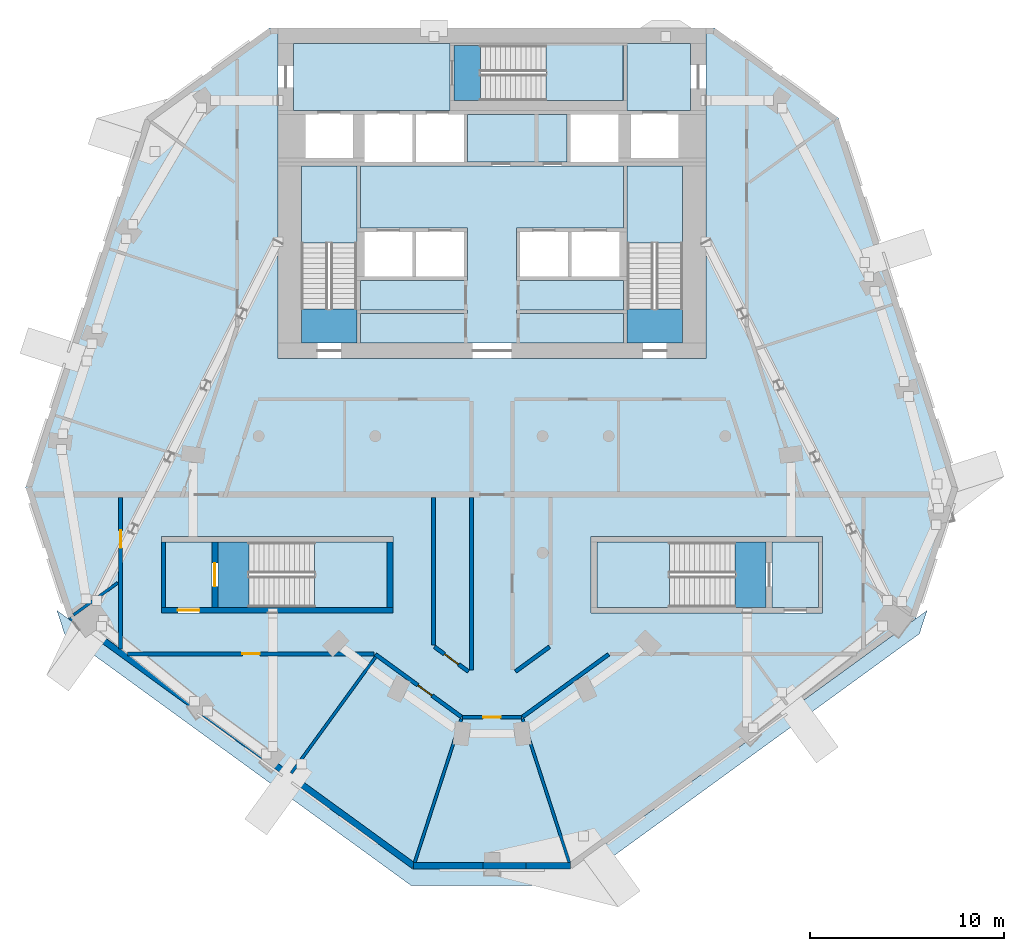
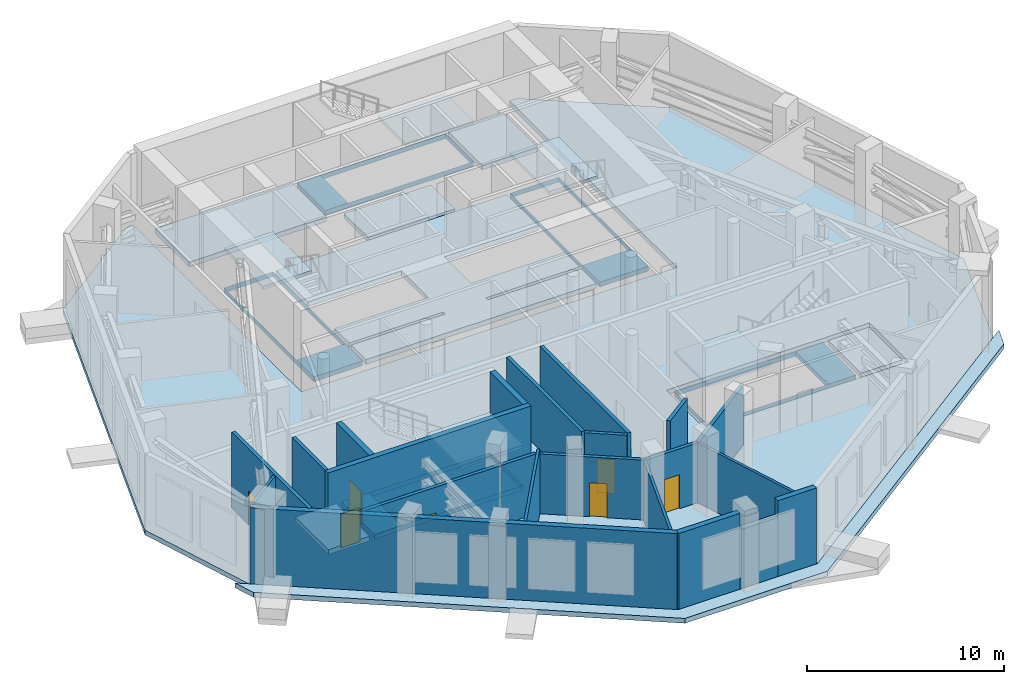
# One storey, part 7 of 16: 21 walls, 18 slabs, 7 doors, 7 openings, 5 elements without a shape of their own.
"""IFC4 building model written with IfcOpenShell, lengths in metres."""

from ifc_helpers import new_model, si_unit, direction, frame, frame_2d, origin, place, context, subcontext, project, spatial, polyline, rectangle, outline, extrude, material, layer, layer_set, type_object, element, fill, aggregate, save


model = new_model("IFC4")

# Units and contexts
model_context = context("Model", 3, precision=1e-05, world=origin(), true_north=direction((0.0, 1.0)))
body_context = subcontext(model_context, "Body", "Model", "MODEL_VIEW")
ifc_project = project(units=[si_unit("LENGTHUNIT", "METRE"), si_unit("AREAUNIT", "SQUARE_METRE"), si_unit("VOLUMEUNIT", "CUBIC_METRE"), si_unit("PLANEANGLEUNIT", "RADIAN"), si_unit("MASSUNIT", "GRAM", prefix="KILO")], contexts=[model_context])

# Site, building, storey
site_placement = place(None, origin())
site = spatial("IfcSite", under=ifc_project, at=site_placement, CompositionType="ELEMENT")
building_placement = place(site_placement, origin())
building = spatial("IfcBuilding", under=site, at=building_placement, Name="White Candle Pilgrim Tower", CompositionType="ELEMENT")
storey_placement = place(building_placement, frame((0.0, 0.0, 243.300048828125)))
storey = spatial("IfcBuildingStorey", under=building, at=storey_placement, Name="L57", CompositionType="ELEMENT", Elevation=243.300048828125)

# Slabs
ifc_material_1 = material(Name="Concrete C40/50", Category="concrete")
ifc_layer_1 = layer(ifc_material_1, 0.300048828125)
ifc_layer_set_1 = layer_set([ifc_layer_1], Name="Core floor slab 300 mm Concrete C40/50")
slab_type_1 = type_object("IfcSlabType", Name="Core floor slab 300 mm Concrete C40/50", PredefinedType="FLOOR", material=ifc_layer_set_1)
slab_1_placement = place(storey_placement, frame((0.0, 0.0, -0.300048828125)))
element("IfcSlab", 1, at=slab_1_placement, inside=storey, type_object=slab_type_1, Name="CF-L57-01", PredefinedType="FLOOR", context=body_context, shape_type="SweptSolid", body=[
    extrude(outline(polyline([(55.60009765625, 58.199951171875), (53.199951171875, 58.199951171875), (53.199951171875, 61.550048828125), (55.60009765625, 61.550048828125), (55.60009765625, 58.199951171875)])), origin(), (0.0, 0.0, 1.0), 0.300048828125),
])
slab_2_placement = place(storey_placement, frame((0.0, 0.0, -0.300048828125)))
element("IfcSlab", 2, at=slab_2_placement, inside=storey, type_object=slab_type_1, Name="CF-L57-02", PredefinedType="FLOOR", context=body_context, shape_type="SweptSolid", body=[
    extrude(outline(polyline([(55.89990234375, 58.199951171875), (55.89990234375, 61.550048828125), (64.60009765625, 61.550048828125), (64.60009765625, 58.199951171875), (55.89990234375, 58.199951171875)]), holes=[polyline([(57.501953125, 61.548095703125), (57.501953125, 58.201904296875), (64.597900390625, 58.201904296875), (64.597900390625, 61.548095703125), (57.501953125, 61.548095703125)])]), origin(), (0.0, 0.0, 1.0), 0.300048828125),
])
slab_3_placement = place(storey_placement, frame((0.0, 0.0, -0.300048828125)))
element("IfcSlab", 3, at=slab_3_placement, inside=storey, type_object=slab_type_1, Name="CF-L57-03", PredefinedType="FLOOR", context=body_context, shape_type="SweptSolid", body=[
    extrude(outline(polyline([(75.39990234375, 58.199951171875), (75.39990234375, 61.550048828125), (84.10009765625, 61.550048828125), (84.10009765625, 58.199951171875), (75.39990234375, 58.199951171875)]), holes=[polyline([(82.498046875, 58.201904296875), (82.498046875, 61.548095703125), (75.402099609375, 61.548095703125), (75.402099609375, 58.201904296875), (82.498046875, 58.201904296875)])]), origin(), (0.0, 0.0, 1.0), 0.300048828125),
])
slab_4_placement = place(storey_placement, frame((0.0, 0.0, -0.300048828125)))
element("IfcSlab", 4, at=slab_4_placement, inside=storey, type_object=slab_type_1, Name="CF-L57-04", PredefinedType="FLOOR", context=body_context, shape_type="SweptSolid", body=[
    extrude(outline(polyline([(86.800048828125, 58.199951171875), (84.39990234375, 58.199951171875), (84.39990234375, 61.550048828125), (86.800048828125, 61.550048828125), (86.800048828125, 58.199951171875)])), origin(), (0.0, 0.0, 1.0), 0.300048828125),
])
slab_5_placement = place(storey_placement, frame((0.0, 0.0, -0.300048828125)))
element("IfcSlab", 5, at=slab_5_placement, inside=storey, type_object=slab_type_1, Name="CF-L57-05", PredefinedType="FLOOR", context=body_context, shape_type="SweptSolid", body=[
    extrude(outline(polyline([(76.949951171875, 71.800048828125), (76.949951171875, 73.300048828125), (76.949951171875, 73.5), (76.949951171875, 75.0), (76.949951171875, 75.199951171875), (76.949951171875, 77.5), (76.949951171875, 77.699951171875), (76.949951171875, 80.89990234375), (79.800048828125, 80.89990234375), (79.800048828125, 71.800048828125), (76.949951171875, 71.800048828125)]), holes=[polyline([(76.951904296875, 73.552001953125), (79.798095703125, 73.552001953125), (79.798095703125, 80.89794921875), (76.951904296875, 80.89794921875), (76.951904296875, 73.552001953125)])]), origin(), (0.0, 0.0, 1.0), 0.300048828125),
])
slab_6_placement = place(storey_placement, frame((0.0, 0.0, -0.300048828125)))
element("IfcSlab", 6, at=slab_6_placement, inside=storey, type_object=slab_type_1, Name="CF-L57-06", PredefinedType="FLOOR", context=body_context, shape_type="SweptSolid", body=[
    extrude(outline(polyline([(63.25, 71.800048828125), (63.25, 73.300048828125), (68.75, 73.300048828125), (68.75, 73.5), (63.25, 73.5), (63.25, 75.0), (68.75, 75.0), (68.75, 75.199951171875), (68.75, 77.5), (68.75, 77.699951171875), (63.25, 77.699951171875), (63.25, 80.89990234375), (76.75, 80.89990234375), (76.75, 77.699951171875), (71.25, 77.699951171875), (71.25, 77.5), (71.25, 75.199951171875), (71.25, 75.0), (76.75, 75.0), (76.75, 73.5), (71.25, 73.5), (71.25, 73.300048828125), (76.75, 73.300048828125), (76.75, 71.800048828125), (63.25, 71.800048828125)])), origin(), (0.0, 0.0, 1.0), 0.300048828125),
])
slab_7_placement = place(storey_placement, frame((0.0, 0.0, -0.300048828125)))
element("IfcSlab", 7, at=slab_7_placement, inside=storey, type_object=slab_type_1, Name="CF-L57-07", PredefinedType="FLOOR", context=body_context, shape_type="SweptSolid", body=[
    extrude(outline(polyline([(60.199951171875, 71.800048828125), (60.199951171875, 80.89990234375), (63.050048828125, 80.89990234375), (63.050048828125, 77.699951171875), (63.050048828125, 77.5), (63.050048828125, 75.199951171875), (63.050048828125, 75.0), (63.050048828125, 73.5), (63.050048828125, 73.300048828125), (63.050048828125, 71.800048828125), (60.199951171875, 71.800048828125)]), holes=[polyline([(60.201904296875, 73.552001953125), (63.048095703125, 73.552001953125), (63.048095703125, 80.89794921875), (60.201904296875, 80.89794921875), (60.201904296875, 73.552001953125)])]), origin(), (0.0, 0.0, 1.0), 0.300048828125),
])
slab_8_placement = place(storey_placement, frame((0.0, 0.0, -0.300048828125)))
element("IfcSlab", 8, at=slab_8_placement, inside=storey, type_object=slab_type_1, Name="CF-L57-08", PredefinedType="FLOOR", context=body_context, shape_type="SweptSolid", body=[
    extrude(outline(polyline([(59.800048828125, 87.199951171875), (67.85009765625, 87.199951171875), (67.85009765625, 87.10009765625), (67.85009765625, 84.25), (67.85009765625, 83.75), (59.800048828125, 83.75), (59.800048828125, 87.199951171875)])), origin(), (0.0, 0.0, 1.0), 0.300048828125),
])
slab_9_placement = place(storey_placement, frame((0.0, 0.0, -0.300048828125)))
element("IfcSlab", 9, at=slab_9_placement, inside=storey, type_object=slab_type_1, Name="CF-L57-09", PredefinedType="FLOOR", context=body_context, shape_type="SweptSolid", body=[
    extrude(outline(polyline([(80.199951171875, 87.199951171875), (80.199951171875, 83.75), (76.949951171875, 83.75), (76.949951171875, 84.25), (76.949951171875, 87.10009765625), (76.949951171875, 87.199951171875), (80.199951171875, 87.199951171875)])), origin(), (0.0, 0.0, 1.0), 0.300048828125),
])
slab_10_placement = place(storey_placement, frame((0.0, 0.0, -0.300048828125)))
element("IfcSlab", 10, at=slab_10_placement, inside=storey, type_object=slab_type_1, Name="CF-L57-10", PredefinedType="FLOOR", context=body_context, shape_type="SweptSolid", body=[
    extrude(outline(polyline([(68.050048828125, 87.10009765625), (76.75, 87.10009765625), (76.75, 84.25), (68.050048828125, 84.25), (68.050048828125, 87.10009765625)]), holes=[polyline([(69.402099609375, 87.097900390625), (69.402099609375, 84.251953125), (76.748046875, 84.251953125), (76.748046875, 87.097900390625), (69.402099609375, 87.097900390625)])]), origin(), (0.0, 0.0, 1.0), 0.300048828125),
])
slab_11_placement = place(storey_placement, frame((0.0, 0.0, -0.300048828125)))
element("IfcSlab", 11, at=slab_11_placement, inside=storey, type_object=slab_type_1, Name="CF-L57-11", PredefinedType="FLOOR", context=body_context, shape_type="SweptSolid", body=[
    extrude(outline(polyline([(73.85009765625, 83.550048828125), (73.85009765625, 81.10009765625), (68.75, 81.10009765625), (68.75, 83.550048828125), (73.85009765625, 83.550048828125)])), origin(), (0.0, 0.0, 1.0), 0.300048828125),
])
ifc_layer_2 = layer(ifc_material_1, 0.300048828125)
ifc_layer_set_2 = layer_set([ifc_layer_2], Name="Floor slab 300 REI 240")
slab_type_2 = type_object("IfcSlabType", Name="Floor slab 300 REI 240", PredefinedType="FLOOR", material=ifc_layer_set_2)
slab_12_placement = place(storey_placement, frame((0.0, 0.0, -0.300048828125)))
element("IfcSlab", 12, at=slab_12_placement, inside=storey, type_object=slab_type_2, Name="L57 floor slab", PredefinedType="FLOOR", context=body_context, shape_type="SweptSolid", body=[
    extrude(outline(polyline([(65.9189453125, 44.74658203125), (74.0810546875, 44.74658203125), (91.78857421875, 57.61181640625), (93.98388671875, 64.368896484375), (87.810302734375, 83.369384765625), (81.43701171875, 88.0), (81.0, 88.0), (81.0, 71.0), (59.0, 71.0), (59.0, 88.0), (58.56298828125, 88.0), (52.189697265625, 83.369384765625), (46.01611328125, 64.368896484375), (48.21142578125, 57.61181640625), (65.9189453125, 44.74658203125)]), holes=[polyline([(53.0, 57.89990234375), (53.0, 61.85009765625), (64.89990234375, 61.85009765625), (64.89990234375, 57.89990234375), (53.0, 57.89990234375)]), polyline([(75.10009765625, 57.89990234375), (75.10009765625, 61.85009765625), (87.0, 61.85009765625), (87.0, 57.89990234375), (75.10009765625, 57.89990234375)])]), origin(), (0.0, 0.0, 1.0), 0.300048828125),
])
ifc_layer_3 = layer(ifc_material_1, 0.300048828125)
ifc_layer_set_3 = layer_set([ifc_layer_3], Name="Setback ledge 300 REI 240")
slab_type_3 = type_object("IfcSlabType", Name="Setback ledge 300 REI 240", PredefinedType="FLOOR", material=ifc_layer_set_3)
slab_13_placement = place(storey_placement, frame((0.0, 0.0, -0.300048828125)))
element("IfcSlab", 13, at=slab_13_placement, inside=storey, type_object=slab_type_3, Name="L57 setback ledge 01", PredefinedType="FLOOR", context=body_context, shape_type="SweptSolid", body=[
    extrude(outline(polyline([(65.82421875, 43.904296875), (74.17578125, 43.904296875), (91.980712890625, 56.84033203125), (92.3681640625, 58.032958984375), (74.0810546875, 44.74658203125), (65.9189453125, 44.74658203125), (47.6318359375, 58.032958984375), (48.019287109375, 56.84033203125), (65.82421875, 43.904296875)])), origin(), (0.0, 0.0, 1.0), 0.300048828125),
])

# Stair, slab
stair_type_1 = type_object("IfcStairType", Name="Exit stair 1 flight width 1350 mm", PredefinedType="HALF_TURN_STAIR", material=ifc_material_1)
stair_1_placement = place(storey_placement, origin())
stair_1 = element("IfcStair", 14, at=stair_1_placement, inside=storey, type_object=stair_type_1, Name="L57 stair 1", PredefinedType="NOTDEFINED")
ifc_layer_4 = layer(ifc_material_1, 0.199951171875)
ifc_layer_set_4 = layer_set([ifc_layer_4], Name="Stair landing Concrete C40/50")
slab_type_4 = type_object("IfcSlabType", Name="Stair landing Concrete C40/50", PredefinedType="LANDING", material=ifc_layer_set_4)
slab_14_placement = place(storey_placement, frame((0.0, 0.0, 2.300048828125)))
slab_14 = element("IfcSlab", 15, at=slab_14_placement, type_object=slab_type_4, Name="ST1 landing 1", PredefinedType="LANDING", context=body_context, shape_type="SweptSolid", body=[
    extrude(outline(polyline([(63.052001953125, 76.927978515625), (60.197998046875, 76.927978515625), (60.197998046875, 80.902099609375), (63.052001953125, 80.902099609375), (63.052001953125, 76.927978515625)])), origin(), (0.0, 0.0, 1.0), 0.199951171875),
])
aggregate(stair_1, [slab_14])

stair_type_2 = type_object("IfcStairType", Name="Exit stair 2 flight width 1350 mm", PredefinedType="HALF_TURN_STAIR", material=ifc_material_1)
stair_2_placement = place(storey_placement, origin())
stair_2 = element("IfcStair", 16, at=stair_2_placement, inside=storey, type_object=stair_type_2, Name="L57 stair 2", PredefinedType="NOTDEFINED")
slab_15_placement = place(storey_placement, frame((0.0, 0.0, 2.300048828125)))
slab_15 = element("IfcSlab", 17, at=slab_15_placement, type_object=slab_type_4, Name="ST2 landing 1", PredefinedType="LANDING", context=body_context, shape_type="SweptSolid", body=[
    extrude(outline(polyline([(79.802001953125, 76.927978515625), (76.947998046875, 76.927978515625), (76.947998046875, 80.902099609375), (79.802001953125, 80.902099609375), (79.802001953125, 76.927978515625)])), origin(), (0.0, 0.0, 1.0), 0.199951171875),
])
aggregate(stair_2, [slab_15])

stair_type_3 = type_object("IfcStairType", Name="Exit stair 3 flight width 1350 mm", PredefinedType="HALF_TURN_STAIR", material=ifc_material_1)
stair_3_placement = place(storey_placement, origin())
stair_3 = element("IfcStair", 18, at=stair_3_placement, inside=storey, type_object=stair_type_3, Name="L57 stair 3", PredefinedType="NOTDEFINED")
slab_16_placement = place(storey_placement, frame((0.0, 0.0, 2.300048828125)))
slab_16 = element("IfcSlab", 19, at=slab_16_placement, type_object=slab_type_4, Name="ST3 landing 1", PredefinedType="LANDING", context=body_context, shape_type="SweptSolid", body=[
    extrude(outline(polyline([(72.778076171875, 84.248046875), (72.778076171875, 87.10205078125), (76.751953125, 87.10205078125), (76.751953125, 84.248046875), (72.778076171875, 84.248046875)])), origin(), (0.0, 0.0, 1.0), 0.199951171875),
])
aggregate(stair_3, [slab_16])

stair_type_4 = type_object("IfcStairType", Name="Exit stair 4 flight width 1600 mm", PredefinedType="HALF_TURN_STAIR", material=ifc_material_1)
stair_4_placement = place(storey_placement, origin())
stair_4 = element("IfcStair", 20, at=stair_4_placement, inside=storey, type_object=stair_type_4, Name="L57 stair 4", PredefinedType="NOTDEFINED")
slab_17_placement = place(storey_placement, frame((0.0, 0.0, 2.300048828125)))
slab_17 = element("IfcSlab", 21, at=slab_17_placement, type_object=slab_type_4, Name="ST4 landing 1", PredefinedType="LANDING", context=body_context, shape_type="SweptSolid", body=[
    extrude(outline(polyline([(79.1220703125, 61.552001953125), (79.1220703125, 58.197998046875), (75.39794921875, 58.197998046875), (75.39794921875, 61.552001953125), (79.1220703125, 61.552001953125)])), origin(), (0.0, 0.0, 1.0), 0.199951171875),
])
aggregate(stair_4, [slab_17])

stair_type_5 = type_object("IfcStairType", Name="Exit stair 5 flight width 1600 mm", PredefinedType="HALF_TURN_STAIR", material=ifc_material_1)
stair_5_placement = place(storey_placement, origin())
stair_5 = element("IfcStair", 22, at=stair_5_placement, inside=storey, type_object=stair_type_5, Name="L57 stair 5", PredefinedType="NOTDEFINED")
slab_18_placement = place(storey_placement, frame((0.0, 0.0, 2.300048828125)))
slab_18 = element("IfcSlab", 23, at=slab_18_placement, type_object=slab_type_4, Name="ST5 landing 1", PredefinedType="LANDING", context=body_context, shape_type="SweptSolid", body=[
    extrude(outline(polyline([(60.8779296875, 58.197998046875), (60.8779296875, 61.552001953125), (64.60205078125, 61.552001953125), (64.60205078125, 58.197998046875), (60.8779296875, 58.197998046875)])), origin(), (0.0, 0.0, 1.0), 0.199951171875),
])
aggregate(stair_5, [slab_18])

# Walls
ifc_material_2 = material(Name="Concrete C50/60", Category="concrete")
ifc_layer_5 = layer(ifc_material_2, 0.199951171875)
ifc_layer_set_5 = layer_set([ifc_layer_5], Name="Core wall 200 mm Concrete C50/60")
wall_type_1 = type_object("IfcWallType", Name="Core wall 200 mm Concrete C50/60", PredefinedType="SHEAR", material=ifc_layer_set_5)
wall_1_placement = place(storey_placement, frame((53.10009765625, 58.199951171875, 0.0), z_axis=(0.0, 0.0, 1.0), x_axis=(0.0, 1.0, 0.0)))
element("IfcWall", 24, at=wall_1_placement, inside=storey, type_object=wall_type_1, Name="WL-L57-C03", PredefinedType="SHEAR", context=body_context, shape_type="SweptSolid", body=[
    extrude(rectangle(XDim=3.35009765625, YDim=0.199951171875, at=frame_2d((1.675048828125, 0.0))), origin(), (0.0, 0.0, 1.0), 5.0),
])
ifc_material_3 = material(Name="Gypsum board on steel studs", Category="steel")
ifc_layer_6 = layer(ifc_material_3, 0.199951171875)
ifc_layer_set_6 = layer_set([ifc_layer_6], Name="Corridor wall 200 mm EI 45")
wall_type_2 = type_object("IfcWallType", Name="Corridor wall 200 mm EI 45", PredefinedType="PARTITIONING", material=ifc_layer_set_6)
wall_2_placement = place(storey_placement, frame((75.998291015625, 55.781005859375, 0.0), z_axis=(0.0, 0.0, 1.0), x_axis=(-0.809023570974, -0.587776200274, 0.0)))
element("IfcWall", 25, at=wall_2_placement, inside=storey, type_object=wall_type_2, Name="WL-L57-P008", PredefinedType="PARTITIONING", context=body_context, shape_type="SweptSolid", body=[
    extrude(rectangle(XDim=5.469970703125, YDim=0.199951171875, at=frame_2d((2.73486328125, 0.0))), origin(), (0.0, 0.0, 1.0), 3.699951171875),
])

# Wall, opening, door
wall_3_placement = place(storey_placement, frame((71.514404296875, 52.546630859375, 0.0), z_axis=(0.0, 0.0, 1.0), x_axis=(-1.0, 0.0, 0.0)))
wall_3 = element("IfcWall", 26, at=wall_3_placement, inside=storey, type_object=wall_type_2, Name="WL-L57-P009", PredefinedType="PARTITIONING", context=body_context, shape_type="SweptSolid", body=[
    extrude(rectangle(XDim=3.02880859375, YDim=0.199951171875, at=frame_2d((1.514404296875, 0.0))), origin(), (0.0, 0.0, 1.0), 3.699951171875),
])
opening_1_placement = place(wall_3_placement, frame((1.064208984375, 0.0, 0.0)))
opening_1 = element("IfcOpeningElement", 27, at=opening_1_placement, cuts=wall_3, Name="Opening L57-104", PredefinedType="OPENING", context=body_context, shape_type="SweptSolid", body=[
    extrude(rectangle(XDim=0.89990234375, YDim=2.10009765625, at=frame_2d((0.449951171875, 1.050048828125))), frame((0.0, 0.10986328125, 0.0), z_axis=(0.0, -1.0, 0.0), x_axis=(1.0, 0.0, 0.0)), (0.0, 0.0, 1.0), 0.219970703125),
])
ifc_material_4 = material(Name="Steel door leaf", Category="steel")
door_type_1 = type_object("IfcDoorType", Name="Fire door 900 x 2100 EI 30", OperationType="NOTDEFINED", PredefinedType="DOOR", material=ifc_material_4)
door_1_placement = place(opening_1_placement, origin())
door_1 = element("IfcDoor", 28, at=door_1_placement, inside=storey, type_object=door_type_1, Name="Door L57-104", OperationType="SINGLE_SWING_RIGHT", OverallHeight=2.10009765625, OverallWidth=0.89990234375, PredefinedType="DOOR", context=body_context, shape_type="SweptSolid", body=[
    extrude(rectangle(XDim=0.89990234375, YDim=2.10009765625, at=frame_2d((0.449951171875, 1.050048828125))), frame((0.0, 0.02490234375, 0.0), z_axis=(0.0, -1.0, 0.0), x_axis=(1.0, 0.0, 0.0)), (0.0, 0.0, 1.0), 0.050048828125),
])
fill(opening_1, door_1)

wall_4_placement = place(storey_placement, frame((68.427001953125, 52.56591796875, 0.0), z_axis=(0.0, 0.0, 1.0), x_axis=(-0.809023570974, 0.587776200274, 0.0)))
wall_4 = element("IfcWall", 29, at=wall_4_placement, inside=storey, type_object=wall_type_2, Name="WL-L57-P010", PredefinedType="PARTITIONING", context=body_context, shape_type="SweptSolid", body=[
    extrude(rectangle(XDim=5.469970703125, YDim=0.199951171875, at=frame_2d((2.73486328125, 0.0))), origin(), (0.0, 0.0, 1.0), 3.699951171875),
])
opening_2_placement = place(wall_4_placement, frame((1.8720703125, 0.0, 0.0)))
opening_2 = element("IfcOpeningElement", 30, at=opening_2_placement, cuts=wall_4, Name="Opening L57-103", PredefinedType="OPENING", context=body_context, shape_type="SweptSolid", body=[
    extrude(rectangle(XDim=0.89990234375, YDim=2.10009765625, at=frame_2d((0.449951171875, 1.050048828125))), frame((0.0, 0.10986328125, 0.0), z_axis=(0.0, -1.0, 0.0), x_axis=(1.0, 0.0, 0.0)), (0.0, 0.0, 1.0), 0.219970703125),
])
door_2_placement = place(opening_2_placement, origin())
door_2 = element("IfcDoor", 31, at=door_2_placement, inside=storey, type_object=door_type_1, Name="Door L57-103", OperationType="SINGLE_SWING_LEFT", OverallHeight=2.10009765625, OverallWidth=0.89990234375, PredefinedType="DOOR", context=body_context, shape_type="SweptSolid", body=[
    extrude(rectangle(XDim=0.89990234375, YDim=2.10009765625, at=frame_2d((0.449951171875, 1.050048828125))), frame((0.0, 0.02490234375, 0.0), z_axis=(0.0, -1.0, 0.0), x_axis=(1.0, 0.0, 0.0)), (0.0, 0.0, 1.0), 0.050048828125),
])
fill(opening_2, door_2)

wall_5_placement = place(storey_placement, frame((63.94287109375, 55.800048828125, 0.0), z_axis=(0.0, 0.0, 1.0), x_axis=(-1.0, 0.0, 0.0)))
wall_5 = element("IfcWall", 32, at=wall_5_placement, inside=storey, type_object=wall_type_2, Name="WL-L57-P011", PredefinedType="PARTITIONING", context=body_context, shape_type="SweptSolid", body=[
    extrude(rectangle(XDim=12.693115234375, YDim=0.199951171875, at=frame_2d((6.3466796875, 0.0))), origin(), (0.0, 0.0, 1.0), 3.699951171875),
])
opening_3_placement = place(wall_5_placement, frame((5.88037109375, 0.0, 0.0)))
opening_3 = element("IfcOpeningElement", 33, at=opening_3_placement, cuts=wall_5, Name="Opening L57-102", PredefinedType="OPENING", context=body_context, shape_type="SweptSolid", body=[
    extrude(rectangle(XDim=0.89990234375, YDim=2.10009765625, at=frame_2d((0.449951171875, 1.050048828125))), frame((0.0, 0.10986328125, 0.0), z_axis=(0.0, -1.0, 0.0), x_axis=(1.0, 0.0, 0.0)), (0.0, 0.0, 1.0), 0.219970703125),
])
door_3_placement = place(opening_3_placement, origin())
door_3 = element("IfcDoor", 34, at=door_3_placement, inside=storey, type_object=door_type_1, Name="Door L57-102", OperationType="SINGLE_SWING_RIGHT", OverallHeight=2.10009765625, OverallWidth=0.89990234375, PredefinedType="DOOR", context=body_context, shape_type="SweptSolid", body=[
    extrude(rectangle(XDim=0.89990234375, YDim=2.10009765625, at=frame_2d((0.449951171875, 1.050048828125))), frame((0.0, 0.02490234375, 0.0), z_axis=(0.0, -1.0, 0.0), x_axis=(1.0, 0.0, 0.0)), (0.0, 0.0, 1.0), 0.050048828125),
])
fill(opening_3, door_3)

wall_6_placement = place(storey_placement, frame((50.89990234375, 56.05419921875, 0.0), z_axis=(0.0, 0.0, 1.0), x_axis=(0.0, 1.0, 0.0)))
wall_6 = element("IfcWall", 35, at=wall_6_placement, inside=storey, type_object=wall_type_2, Name="WL-L57-P012", PredefinedType="PARTITIONING", context=body_context, shape_type="SweptSolid", body=[
    extrude(rectangle(XDim=7.7958984375, YDim=0.199951171875, at=frame_2d((3.89794921875, 0.0))), origin(), (0.0, 0.0, 1.0), 4.699951171875),
])
opening_4_placement = place(wall_6_placement, frame((5.203369140625, 0.0, 0.0)))
opening_4 = element("IfcOpeningElement", 36, at=opening_4_placement, cuts=wall_6, Name="Opening L57-101", PredefinedType="OPENING", context=body_context, shape_type="SweptSolid", body=[
    extrude(rectangle(XDim=0.89990234375, YDim=2.10009765625, at=frame_2d((0.449951171875, 1.050048828125))), frame((0.0, 0.10986328125, 0.0), z_axis=(0.0, -1.0, 0.0), x_axis=(1.0, 0.0, 0.0)), (0.0, 0.0, 1.0), 0.219970703125),
])
door_4_placement = place(opening_4_placement, origin())
door_4 = element("IfcDoor", 37, at=door_4_placement, inside=storey, type_object=door_type_1, Name="Door L57-101", OperationType="SINGLE_SWING_LEFT", OverallHeight=2.10009765625, OverallWidth=0.89990234375, PredefinedType="DOOR", context=body_context, shape_type="SweptSolid", body=[
    extrude(rectangle(XDim=0.89990234375, YDim=2.10009765625, at=frame_2d((0.449951171875, 1.050048828125))), frame((0.0, 0.02490234375, 0.0), z_axis=(0.0, -1.0, 0.0), x_axis=(1.0, 0.0, 0.0)), (0.0, 0.0, 1.0), 0.050048828125),
])
fill(opening_4, door_4)

# Wall
wall_7_placement = place(storey_placement, frame((71.208740234375, 54.89697265625, 0.0), z_axis=(0.0, 0.0, 1.0), x_axis=(0.809062981619, 0.587721951073, 0.0)))
element("IfcWall", 38, at=wall_7_placement, inside=storey, type_object=wall_type_2, Name="WL-L57-P016", PredefinedType="PARTITIONING", context=body_context, shape_type="SweptSolid", body=[
    extrude(rectangle(XDim=2.1630859375, YDim=0.199951171875, at=frame_2d((1.08154296875, 0.0))), origin(), (0.0, 0.0, 1.0), 3.699951171875),
])

# Wall, opening, door
wall_8_placement = place(storey_placement, frame((67.041259765625, 56.168212890625, 0.0), z_axis=(0.0, 0.0, 1.0), x_axis=(0.809062981619, -0.587721951073, 0.0)))
wall_8 = element("IfcWall", 39, at=wall_8_placement, inside=storey, type_object=wall_type_2, Name="WL-L57-P019", PredefinedType="PARTITIONING", context=body_context, shape_type="SweptSolid", body=[
    extrude(rectangle(XDim=2.1630859375, YDim=0.199951171875, at=frame_2d((1.08154296875, 0.0))), origin(), (0.0, 0.0, 1.0), 3.699951171875),
])
opening_5_placement = place(wall_8_placement, frame((0.631591796875, 0.0, 0.0)))
opening_5 = element("IfcOpeningElement", 40, at=opening_5_placement, cuts=wall_8, Name="Opening L57-119", PredefinedType="OPENING", context=body_context, shape_type="SweptSolid", body=[
    extrude(rectangle(XDim=0.89990234375, YDim=2.10009765625, at=frame_2d((0.449951171875, 1.050048828125))), frame((0.0, 0.10986328125, 0.0), z_axis=(0.0, -1.0, 0.0), x_axis=(1.0, 0.0, 0.0)), (0.0, 0.0, 1.0), 0.219970703125),
])
door_5_placement = place(opening_5_placement, origin())
door_5 = element("IfcDoor", 41, at=door_5_placement, inside=storey, type_object=door_type_1, Name="Door L57-119", OperationType="SINGLE_SWING_LEFT", OverallHeight=2.10009765625, OverallWidth=0.89990234375, PredefinedType="DOOR", context=body_context, shape_type="SweptSolid", body=[
    extrude(rectangle(XDim=0.89990234375, YDim=2.10009765625, at=frame_2d((0.449951171875, 1.050048828125))), frame((0.0, 0.02490234375, 0.0), z_axis=(0.0, -1.0, 0.0), x_axis=(1.0, 0.0, 0.0)), (0.0, 0.0, 1.0), 0.050048828125),
])
fill(opening_5, door_5)

# Walls
wall_9_placement = place(storey_placement, frame((68.949951171875, 54.977783203125, 0.0), z_axis=(0.0, 0.0, 1.0), x_axis=(0.0, 1.0, 0.0)))
element("IfcWall", 42, at=wall_9_placement, inside=storey, type_object=wall_type_2, Name="WL-L57-P020", PredefinedType="PARTITIONING", context=body_context, shape_type="SweptSolid", body=[
    extrude(rectangle(XDim=8.872314453125, YDim=0.199951171875, at=frame_2d((4.43603515625, 0.0))), origin(), (0.0, 0.0, 1.0), 3.699951171875),
])
wall_10_placement = place(storey_placement, frame((67.0, 63.85009765625, 0.0), z_axis=(0.0, 0.0, 1.0), x_axis=(0.0, -1.0, 0.0)))
element("IfcWall", 43, at=wall_10_placement, inside=storey, type_object=wall_type_2, Name="WL-L57-P024", PredefinedType="PARTITIONING", context=body_context, shape_type="SweptSolid", body=[
    extrude(rectangle(XDim=7.600830078125, YDim=0.199951171875, at=frame_2d((3.80029296875, 0.0))), origin(), (0.0, 0.0, 1.0), 3.699951171875),
])
ifc_material_5 = material(Name="Precast concrete C40/50", Category="concrete")
ifc_layer_7 = layer(ifc_material_5, 0.320068359375)
ifc_layer_set_7 = layer_set([ifc_layer_7], Name="Facade wall EW2 precast concrete C40/50 plant wall behind louvres")
wall_type_3 = type_object("IfcWallType", Name="Facade wall EW2 precast concrete C40/50 plant wall behind louvres", PredefinedType="SOLIDWALL", material=ifc_layer_set_7)
wall_11_placement = place(storey_placement, frame((48.34765625, 57.710693359375, 0.0), z_axis=(0.0, 0.0, 1.0), x_axis=(0.809019511949, -0.587781787133, 0.0)))
element("IfcWall", 44, at=wall_11_placement, inside=storey, type_object=wall_type_3, Name="Facade wall L57 SW", PredefinedType="SOLIDWALL", context=body_context, shape_type="SweptSolid", body=[
    extrude(rectangle(XDim=21.783447265625, YDim=0.320068359375, at=frame_2d((10.8916015625, 0.0))), origin(), (0.0, 0.0, 1.0), 4.699951171875),
])
wall_12_placement = place(storey_placement, frame((65.970947265625, 44.90673828125, 0.0), z_axis=(0.0, 0.0, 1.0), x_axis=(1.0, 0.0, 0.0)))
element("IfcWall", 45, at=wall_12_placement, inside=storey, type_object=wall_type_3, Name="Facade wall L57 S chamfer", PredefinedType="SOLIDWALL", context=body_context, shape_type="SweptSolid", body=[
    extrude(rectangle(XDim=3.5791015625, YDim=0.320068359375, at=frame_2d((1.78955078125, 0.0))), origin(), (0.0, 0.0, 1.0), 4.699951171875),
])
wall_13_placement = place(storey_placement, frame((69.550048828125, 44.90673828125, 0.0), z_axis=(0.0, 0.0, 1.0), x_axis=(1.0, 0.0, 0.0)))
element("IfcWall", 46, at=wall_13_placement, inside=storey, type_object=wall_type_3, Name="Facade wall L57 S chamfer", PredefinedType="SOLIDWALL", context=body_context, shape_type="SweptSolid", body=[
    extrude(rectangle(XDim=2.2080078125, YDim=0.320068359375, at=frame_2d((1.10400390625, 0.0))), origin(), (0.0, 0.0, 1.0), 3.669921875),
])
wall_14_placement = place(storey_placement, frame((71.758056640625, 44.90673828125, 0.0), z_axis=(0.0, 0.0, 1.0), x_axis=(1.0, 0.0, 0.0)))
element("IfcWall", 47, at=wall_14_placement, inside=storey, type_object=wall_type_3, Name="Facade wall L57 S chamfer", PredefinedType="SOLIDWALL", context=body_context, shape_type="SweptSolid", body=[
    extrude(rectangle(XDim=2.27099609375, YDim=0.320068359375, at=frame_2d((1.135498046875, 0.0))), origin(), (0.0, 0.0, 1.0), 4.699951171875),
])
ifc_layer_8 = layer(ifc_material_3, 0.14990234375)
ifc_layer_set_8 = layer_set([ifc_layer_8], Name="Partition 150 mm EI 60")
wall_type_4 = type_object("IfcWallType", Name="Partition 150 mm EI 60", PredefinedType="PARTITIONING", material=ifc_layer_set_8)
wall_15_placement = place(storey_placement, frame((48.483642578125, 57.8095703125, 0.0), z_axis=(0.0, 0.0, 1.0), x_axis=(0.809014154956, 0.587789160397, 0.0)))
element("IfcWall", 48, at=wall_15_placement, inside=storey, type_object=wall_type_4, Name="WL-L57-P026", PredefinedType="PARTITIONING", context=body_context, shape_type="SweptSolid", body=[
    extrude(rectangle(XDim=2.80859375, YDim=0.14990234375, at=frame_2d((1.404296875, 0.0))), origin(), (0.0, 0.0, 1.0), 4.699951171875),
])
for number, where, z_axis, x_axis, name in (
    (49, (66.022705078125, 45.066650390625, 0.0), (0.0, 0.0, 1.0), (0.309035692722, 0.951050440631, 0.0), "WL-L57-P027"),
    (50, (73.977294921875, 45.066650390625, 0.0), (0.0, 0.0, 1.0), (-0.309035692722, 0.951050440631, 0.0), "WL-L57-P028"),
):
    element("IfcWall", number, at=place(storey_placement, frame(where, z_axis=z_axis, x_axis=x_axis)), inside=storey, type_object=wall_type_4, Name=name, PredefinedType="PARTITIONING", context=body_context, shape_type="SweptSolid", body=[
        extrude(rectangle(XDim=7.780029296875, YDim=0.14990234375, at=frame_2d((3.89013671875, 0.0))), origin(), (0.0, 0.0, 1.0), 3.699951171875),
    ])
wall_16_placement = place(storey_placement, frame((59.680419921875, 49.6748046875, 0.0), z_axis=(0.0, 0.0, 1.0), x_axis=(0.587793966781, 0.809010662857, 0.0)))
element("IfcWall", 51, at=wall_16_placement, inside=storey, type_object=wall_type_4, Name="WL-L57-P033", PredefinedType="PARTITIONING", context=body_context, shape_type="SweptSolid", body=[
    extrude(rectangle(XDim=7.3798828125, YDim=0.14990234375, at=frame_2d((3.68994140625, 0.0))), origin(), (0.0, 0.0, 1.0), 4.0),
])

# Wall, opening, door
ifc_layer_9 = layer(ifc_material_2, 0.300048828125)
ifc_layer_set_9 = layer_set([ifc_layer_9], Name="Stair shaft wall 300 mm Concrete C50/60")
wall_type_5 = type_object("IfcWallType", Name="Stair shaft wall 300 mm Concrete C50/60", PredefinedType="SHEAR", material=ifc_layer_set_9)
wall_17_placement = place(storey_placement, frame((53.0, 58.050048828125, 0.0), z_axis=(0.0, 0.0, 1.0), x_axis=(1.0, 0.0, 0.0)))
wall_17 = element("IfcWall", 52, at=wall_17_placement, inside=storey, type_object=wall_type_5, Name="WL-L57-C01", PredefinedType="SHEAR", context=body_context, shape_type="SweptSolid", body=[
    extrude(rectangle(XDim=11.89990234375, YDim=0.300048828125, at=frame_2d((5.949951171875, 0.0))), origin(), (0.0, 0.0, 1.0), 5.0),
])
opening_6_placement = place(wall_17_placement, frame((0.85009765625, 0.0, 0.0)))
opening_6 = element("IfcOpeningElement", 53, at=opening_6_placement, cuts=wall_17, Name="Opening L57-011", PredefinedType="OPENING", context=body_context, shape_type="SweptSolid", body=[
    extrude(rectangle(XDim=1.10009765625, YDim=2.10009765625, at=frame_2d((0.550048828125, 1.050048828125))), frame((0.0, 0.159912109375, 0.0), z_axis=(0.0, -1.0, 0.0), x_axis=(1.0, 0.0, 0.0)), (0.0, 0.0, 1.0), 0.320068359375),
])
door_type_2 = type_object("IfcDoorType", Name="Fire door 1100 x 2100 EI 60", OperationType="NOTDEFINED", PredefinedType="DOOR", material=ifc_material_4)
door_6_placement = place(opening_6_placement, origin())
door_6 = element("IfcDoor", 54, at=door_6_placement, inside=storey, type_object=door_type_2, Name="Door L57-011", OperationType="SINGLE_SWING_LEFT", OverallHeight=2.10009765625, OverallWidth=1.10009765625, PredefinedType="DOOR", context=body_context, shape_type="SweptSolid", body=[
    extrude(rectangle(XDim=1.10009765625, YDim=2.10009765625, at=frame_2d((0.550048828125, 1.050048828125))), frame((0.0, 0.02490234375, 0.0), z_axis=(0.0, -1.0, 0.0), x_axis=(1.0, 0.0, 0.0)), (0.0, 0.0, 1.0), 0.050048828125),
])
fill(opening_6, door_6)

wall_18_placement = place(storey_placement, frame((55.75, 58.199951171875, 0.0), z_axis=(0.0, 0.0, 1.0), x_axis=(0.0, 1.0, 0.0)))
wall_18 = element("IfcWall", 55, at=wall_18_placement, inside=storey, type_object=wall_type_5, Name="WL-L57-C04", PredefinedType="SHEAR", context=body_context, shape_type="SweptSolid", body=[
    extrude(rectangle(XDim=3.35009765625, YDim=0.300048828125, at=frame_2d((1.675048828125, 0.0))), origin(), (0.0, 0.0, 1.0), 5.0),
])
opening_7_placement = place(wall_18_placement, frame((1.074951171875, 0.0, 0.0)))
opening_7 = element("IfcOpeningElement", 56, at=opening_7_placement, cuts=wall_18, Name="Opening L57-012", PredefinedType="OPENING", context=body_context, shape_type="SweptSolid", body=[
    extrude(rectangle(XDim=1.199951171875, YDim=2.10009765625, at=frame_2d((0.60009765625, 1.050048828125))), frame((0.0, 0.159912109375, 0.0), z_axis=(0.0, -1.0, 0.0), x_axis=(1.0, 0.0, 0.0)), (0.0, 0.0, 1.0), 0.320068359375),
])
door_type_3 = type_object("IfcDoorType", Name="Fire door 1200 x 2100 EI 60", OperationType="NOTDEFINED", PredefinedType="DOOR", material=ifc_material_4)
door_7_placement = place(opening_7_placement, frame((1.199951171875, 0.0, 0.0), z_axis=(0.0, 0.0, 1.0), x_axis=(-1.0, 0.0, 0.0)))
door_7 = element("IfcDoor", 57, at=door_7_placement, inside=storey, type_object=door_type_3, Name="Door L57-012", OperationType="SINGLE_SWING_LEFT", OverallHeight=2.10009765625, OverallWidth=1.199951171875, PredefinedType="DOOR", context=body_context, shape_type="SweptSolid", body=[
    extrude(rectangle(XDim=1.199951171875, YDim=2.10009765625, at=frame_2d((0.60009765625, 1.050048828125))), frame((0.0, 0.02490234375, 0.0), z_axis=(0.0, -1.0, 0.0), x_axis=(1.0, 0.0, 0.0)), (0.0, 0.0, 1.0), 0.050048828125),
])
fill(opening_7, door_7)

# Wall
wall_19_placement = place(storey_placement, frame((64.75, 58.199951171875, 0.0), z_axis=(0.0, 0.0, 1.0), x_axis=(0.0, 1.0, 0.0)))
element("IfcWall", 58, at=wall_19_placement, inside=storey, type_object=wall_type_5, Name="WL-L57-C05", PredefinedType="SHEAR", context=body_context, shape_type="SweptSolid", body=[
    extrude(rectangle(XDim=3.35009765625, YDim=0.300048828125, at=frame_2d((1.675048828125, 0.0))), origin(), (0.0, 0.0, 1.0), 5.0),
])

save(model, "model.ifc")
